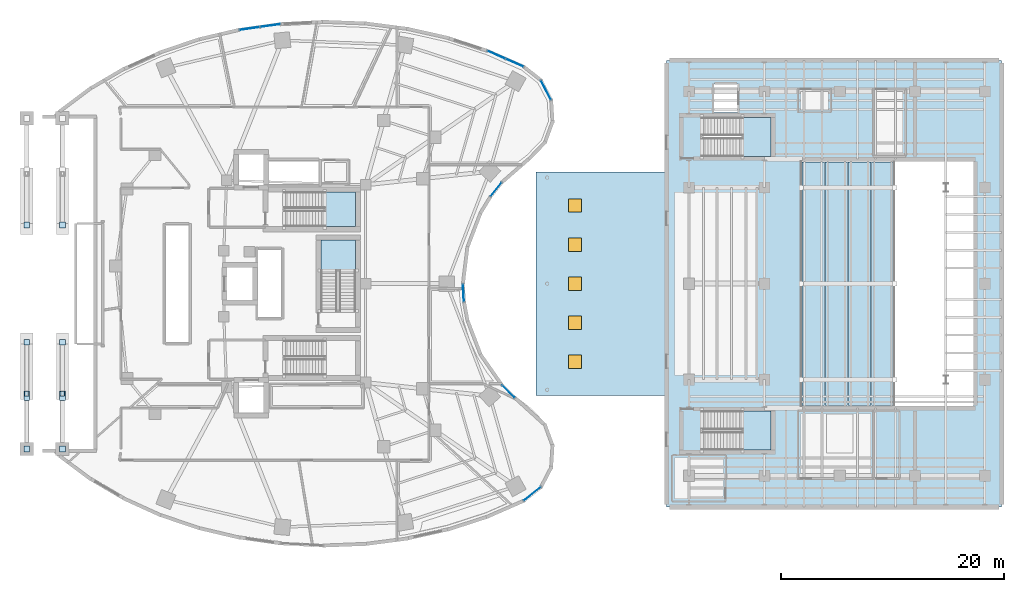
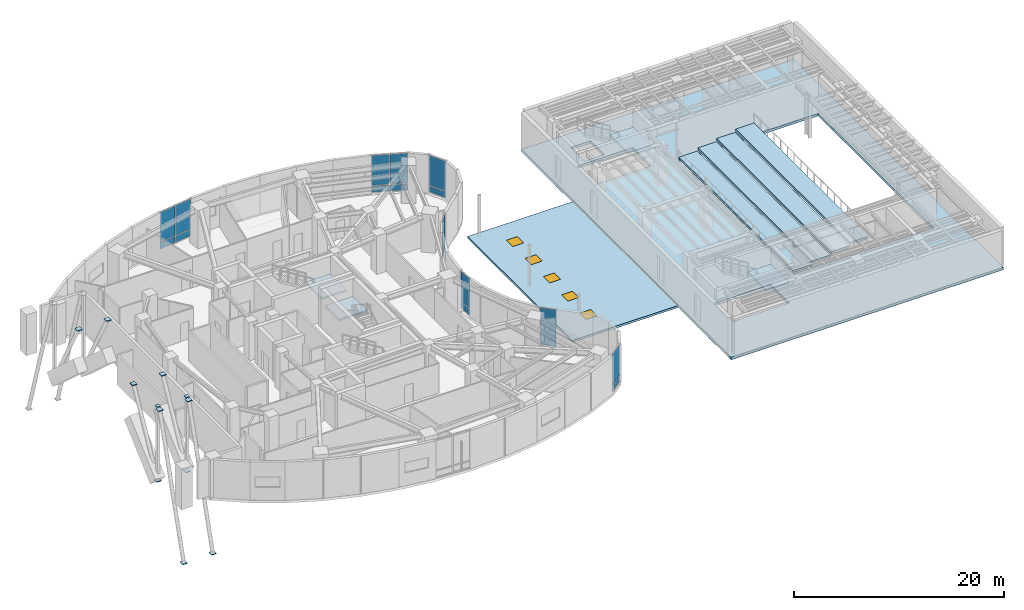
# One storey, part 11 of 24: 30 plates, 10 slabs, 5 windows, 5 openings, 11 elements without a shape of their own.
"""IFC4 building model written with IfcOpenShell, lengths in metres."""

from ifc_helpers import new_model, si_unit, direction, frame, origin, origin_2d, place, context, subcontext, project, spatial, polyline, rectangle, outline, extrude, material, layer, layer_set, type_object, element, fill, aggregate, save


model = new_model("IFC4")

# Units and contexts
model_context = context("Model", 3, precision=1e-05, world=origin(), true_north=direction((0.0, 1.0)))
body_context = subcontext(model_context, "Body", "Model", "MODEL_VIEW")
ifc_project = project(units=[si_unit("LENGTHUNIT", "METRE"), si_unit("AREAUNIT", "SQUARE_METRE"), si_unit("VOLUMEUNIT", "CUBIC_METRE"), si_unit("PLANEANGLEUNIT", "RADIAN"), si_unit("MASSUNIT", "GRAM", prefix="KILO")], contexts=[model_context])

# Site, building, storey
site_placement = place(None, origin())
site = spatial("IfcSite", under=ifc_project, at=site_placement, CompositionType="ELEMENT")
building_placement = place(site_placement, origin())
building = spatial("IfcBuilding", under=site, at=building_placement, Name="Korentha Bioscience Tower", CompositionType="ELEMENT")
storey_placement = place(building_placement, frame((0.0, 0.0, 10.199951171875)))
storey = spatial("IfcBuildingStorey", under=building, at=storey_placement, Name="L02", CompositionType="ELEMENT", Elevation=10.199951171875)

# Slab, openings, windows
ifc_material_1 = material(Name="Precast Concrete C50", Category="concrete")
ifc_layer_1 = layer(ifc_material_1, 0.239990234375, Name="Precast Concrete C50")
ifc_layer_set_1 = layer_set([ifc_layer_1], Name="Precast Concrete C50 (RF-A240)")
slab_type_1 = type_object("IfcSlabType", Name="Arcade Canopy Roof Slab 240", PredefinedType="ROOF", material=ifc_layer_set_1)
slab_1_placement = place(storey_placement, frame((0.0, 0.0, -0.239990234375)))
slab_1 = element("IfcSlab", 1, at=slab_1_placement, inside=storey, type_object=slab_type_1, Name="L02 Covered Public Arcade Canopy Roof Slab", PredefinedType="ROOF", context=body_context, shape_type="SweptSolid", body=[
    extrude(outline(polyline([(52.800048828125, 17.0), (64.419921875, 17.0), (64.419921875, 37.0), (52.800048828125, 37.0), (52.800048828125, 17.0)])), origin(), (0.0, 0.0, 1.0), 0.239990234375),
])
opening_1_placement = place(slab_1_placement, frame((56.300048828125, 20.0, -0.014892578125)))
opening_1 = element("IfcOpeningElement", 2, at=opening_1_placement, cuts=slab_1, Name="Opening RH-120", PredefinedType="OPENING", context=body_context, shape_type="SweptSolid", body=[
    extrude(rectangle(XDim=1.199951171875, YDim=1.199951171875, at=origin_2d()), origin(), (0.0, 0.0, 1.0), 0.269775390625),
])
opening_2_placement = place(slab_1_placement, frame((56.300048828125, 23.5, -0.014892578125)))
opening_2 = element("IfcOpeningElement", 3, at=opening_2_placement, cuts=slab_1, Name="Opening RH-120", PredefinedType="OPENING", context=body_context, shape_type="SweptSolid", body=[
    extrude(rectangle(XDim=1.199951171875, YDim=1.199951171875, at=origin_2d()), origin(), (0.0, 0.0, 1.0), 0.269775390625),
])
opening_3_placement = place(slab_1_placement, frame((56.300048828125, 27.0, -0.014892578125)))
opening_3 = element("IfcOpeningElement", 4, at=opening_3_placement, cuts=slab_1, Name="Opening RH-120", PredefinedType="OPENING", context=body_context, shape_type="SweptSolid", body=[
    extrude(rectangle(XDim=1.199951171875, YDim=1.199951171875, at=origin_2d()), origin(), (0.0, 0.0, 1.0), 0.269775390625),
])
opening_4_placement = place(slab_1_placement, frame((56.300048828125, 30.5, -0.014892578125)))
opening_4 = element("IfcOpeningElement", 5, at=opening_4_placement, cuts=slab_1, Name="Opening RH-120", PredefinedType="OPENING", context=body_context, shape_type="SweptSolid", body=[
    extrude(rectangle(XDim=1.199951171875, YDim=1.199951171875, at=origin_2d()), origin(), (0.0, 0.0, 1.0), 0.269775390625),
])
opening_5_placement = place(slab_1_placement, frame((56.300048828125, 34.0, -0.014892578125)))
opening_5 = element("IfcOpeningElement", 6, at=opening_5_placement, cuts=slab_1, Name="Opening RH-120", PredefinedType="OPENING", context=body_context, shape_type="SweptSolid", body=[
    extrude(rectangle(XDim=1.199951171875, YDim=1.199951171875, at=origin_2d()), origin(), (0.0, 0.0, 1.0), 0.269775390625),
])
ifc_material_2 = material(Name="Insulated Aluminium Hatch", Category="aluminium")
ifc_layer_2 = layer(ifc_material_2, 0.050048828125, Name="Insulated Aluminium Hatch")
ifc_layer_set_2 = layer_set([ifc_layer_2], Name="Insulated Aluminium Hatch (RH-120)")
window_type = type_object("IfcWindowType", Name="Insulated Aluminium Roof Maintenance Hatch 1200x1200", PartitioningType="SINGLE_PANEL", PredefinedType="SKYLIGHT", material=ifc_layer_set_2)
window_1_placement = place(opening_1_placement, frame((0.0, 0.0, 0.014892578125)))
window_1 = element("IfcWindow", 7, at=window_1_placement, inside=storey, type_object=window_type, Name="L02 Arcade Canopy Maintenance Roof Hatch 01", OverallHeight=1.199951171875, OverallWidth=1.199951171875, PartitioningType="SINGLE_PANEL", PredefinedType="SKYLIGHT", context=body_context, shape_type="SweptSolid", body=[
    extrude(rectangle(XDim=1.199951171875, YDim=1.199951171875, at=origin_2d()), origin(), (0.0, 0.0, 1.0), 0.239990234375),
])
fill(opening_1, window_1)
window_2_placement = place(opening_2_placement, frame((0.0, 0.0, 0.014892578125)))
window_2 = element("IfcWindow", 8, at=window_2_placement, inside=storey, type_object=window_type, Name="L02 Arcade Canopy Maintenance Roof Hatch 02", OverallHeight=1.199951171875, OverallWidth=1.199951171875, PartitioningType="SINGLE_PANEL", PredefinedType="SKYLIGHT", context=body_context, shape_type="SweptSolid", body=[
    extrude(rectangle(XDim=1.199951171875, YDim=1.199951171875, at=origin_2d()), origin(), (0.0, 0.0, 1.0), 0.239990234375),
])
fill(opening_2, window_2)
window_3_placement = place(opening_3_placement, frame((0.0, 0.0, 0.014892578125)))
window_3 = element("IfcWindow", 9, at=window_3_placement, inside=storey, type_object=window_type, Name="L02 Arcade Canopy Maintenance Roof Hatch 03", OverallHeight=1.199951171875, OverallWidth=1.199951171875, PartitioningType="SINGLE_PANEL", PredefinedType="SKYLIGHT", context=body_context, shape_type="SweptSolid", body=[
    extrude(rectangle(XDim=1.199951171875, YDim=1.199951171875, at=origin_2d()), origin(), (0.0, 0.0, 1.0), 0.239990234375),
])
fill(opening_3, window_3)
window_4_placement = place(opening_4_placement, frame((0.0, 0.0, 0.014892578125)))
window_4 = element("IfcWindow", 10, at=window_4_placement, inside=storey, type_object=window_type, Name="L02 Arcade Canopy Maintenance Roof Hatch 04", OverallHeight=1.199951171875, OverallWidth=1.199951171875, PartitioningType="SINGLE_PANEL", PredefinedType="SKYLIGHT", context=body_context, shape_type="SweptSolid", body=[
    extrude(rectangle(XDim=1.199951171875, YDim=1.199951171875, at=origin_2d()), origin(), (0.0, 0.0, 1.0), 0.239990234375),
])
fill(opening_4, window_4)
window_5_placement = place(opening_5_placement, frame((0.0, 0.0, 0.014892578125)))
window_5 = element("IfcWindow", 11, at=window_5_placement, inside=storey, type_object=window_type, Name="L02 Arcade Canopy Maintenance Roof Hatch 05", OverallHeight=1.199951171875, OverallWidth=1.199951171875, PartitioningType="SINGLE_PANEL", PredefinedType="SKYLIGHT", context=body_context, shape_type="SweptSolid", body=[
    extrude(rectangle(XDim=1.199951171875, YDim=1.199951171875, at=origin_2d()), origin(), (0.0, 0.0, 1.0), 0.239990234375),
])
fill(opening_5, window_5)

# Slabs
ifc_material_3 = material(Name="Concrete C50", Category="concrete")
ifc_layer_3 = layer(ifc_material_3, 0.260009765625, Name="Concrete C50")
ifc_layer_set_3 = layer_set([ifc_layer_3], Name="Concrete C50 (ST-TIER)")
slab_type_2 = type_object("IfcSlabType", Name="Auditorium Raked Seating Tier Slab 260", PredefinedType="USERDEFINED", material=ifc_layer_set_3)
slab_2_placement = place(storey_placement, frame((0.0, 0.0, 0.10009765625)))
element("IfcSlab", 12, at=slab_2_placement, inside=storey, type_object=slab_type_2, Name="L02 Auditorium Seating Tier 1", ObjectType="SEATING_TIER", PredefinedType="USERDEFINED", context=body_context, shape_type="SweptSolid", body=[
    extrude(outline(polyline([(76.60009765625, 16.10009765625), (78.6298828125, 16.10009765625), (78.6298828125, 37.89990234375), (76.60009765625, 37.89990234375), (76.60009765625, 16.10009765625)])), origin(), (0.0, 0.0, 1.0), 0.260009765625),
])
slab_3_placement = place(storey_placement, frame((0.0, 0.0, 0.4599609375)))
element("IfcSlab", 13, at=slab_3_placement, inside=storey, type_object=slab_type_2, Name="L02 Auditorium Seating Tier 2", ObjectType="SEATING_TIER", PredefinedType="USERDEFINED", context=body_context, shape_type="SweptSolid", body=[
    extrude(outline(polyline([(78.679931640625, 16.10009765625), (80.7099609375, 16.10009765625), (80.7099609375, 37.89990234375), (78.679931640625, 37.89990234375), (78.679931640625, 16.10009765625)])), origin(), (0.0, 0.0, 1.0), 0.260009765625),
])
slab_4_placement = place(storey_placement, frame((0.0, 0.0, 0.820068359375)))
element("IfcSlab", 14, at=slab_4_placement, inside=storey, type_object=slab_type_2, Name="L02 Auditorium Seating Tier 3", ObjectType="SEATING_TIER", PredefinedType="USERDEFINED", context=body_context, shape_type="SweptSolid", body=[
    extrude(outline(polyline([(80.760009765625, 16.10009765625), (82.7900390625, 16.10009765625), (82.7900390625, 37.89990234375), (80.760009765625, 37.89990234375), (80.760009765625, 16.10009765625)])), origin(), (0.0, 0.0, 1.0), 0.260009765625),
])
slab_5_placement = place(storey_placement, frame((0.0, 0.0, 1.179931640625)))
element("IfcSlab", 15, at=slab_5_placement, inside=storey, type_object=slab_type_2, Name="L02 Auditorium Seating Tier 4", ObjectType="SEATING_TIER", PredefinedType="USERDEFINED", context=body_context, shape_type="SweptSolid", body=[
    extrude(outline(polyline([(82.840087890625, 16.10009765625), (84.8701171875, 16.10009765625), (84.8701171875, 37.89990234375), (82.840087890625, 37.89990234375), (82.840087890625, 16.10009765625)])), origin(), (0.0, 0.0, 1.0), 0.260009765625),
])
ifc_layer_4 = layer(ifc_material_3, 0.300048828125, Name="Concrete C50")
ifc_layer_set_4 = layer_set([ifc_layer_4], Name="Concrete C50 (SL-TH300)")
slab_type_3 = type_object("IfcSlabType", Name="Civic Theatre Floor Slab 300", PredefinedType="FLOOR", material=ifc_layer_set_4)
slab_6_placement = place(storey_placement, frame((0.0, 0.0, -0.300048828125)))
element("IfcSlab", 16, at=slab_6_placement, inside=storey, type_object=slab_type_3, Name="L02 Civic Performing-Arts Theatre Floor Slab", PredefinedType="FLOOR", context=body_context, shape_type="SweptSolid", body=[
    extrude(outline(polyline([(64.5, 7.0), (94.5, 7.0), (94.5, 47.0), (64.5, 47.0), (64.5, 7.0)]), holes=[polyline([(67.64990234375, 12.10009765625), (73.85009765625, 12.10009765625), (73.85009765625, 15.60009765625), (67.64990234375, 15.60009765625), (67.64990234375, 12.10009765625)]), polyline([(67.64990234375, 38.39990234375), (73.85009765625, 38.39990234375), (73.85009765625, 41.89990234375), (67.64990234375, 41.89990234375), (67.64990234375, 38.39990234375)]), polyline([(68.7099609375, 42.31005859375), (70.889892578125, 42.31005859375), (70.889892578125, 44.889892578125), (68.7099609375, 44.889892578125), (68.7099609375, 42.31005859375)]), polyline([(76.550048828125, 16.0), (92.0, 16.0), (92.0, 38.0), (76.550048828125, 38.0), (76.550048828125, 16.0)])]), origin(), (0.0, 0.0, 1.0), 0.300048828125),
])

# Curtain wall, plates
ifc_material_4 = material(Name="Stone-Clad Aluminium Frame", Category="masonry")
ifc_layer_5 = layer(ifc_material_4, 0.219970703125, Name="Stone-Clad Aluminium Frame")
ifc_layer_set_5 = layer_set([ifc_layer_5], Name="Stone-Clad Aluminium Frame (CW-P1)")
curtain_wall_type = type_object("IfcCurtainWallType", Name="Podium Double-Height Stone-Mullion Curtain Wall CW-P1", PredefinedType="USERDEFINED", material=ifc_layer_set_5)
curtain_wall_1_placement = place(storey_placement, origin())
curtain_wall_1 = element("IfcCurtainWall", 17, at=curtain_wall_1_placement, inside=storey, type_object=curtain_wall_type, Name="L02 Curtain Wall 01", ObjectType="UNITISED", PredefinedType="USERDEFINED")
ifc_material_5 = material(Name="Triple-Glazed Low-E Insulated Glass", Category="glass")
ifc_layer_6 = layer(ifc_material_5, 0.0439453125, Name="Triple-Glazed Low-E Insulated Glass")
ifc_layer_set_6 = layer_set([ifc_layer_6], Name="Triple-Glazed Low-E Insulated Glass (GL-44)")
plate_type_1 = type_object("IfcPlateType", Name="Glazed Panel 44mm", PredefinedType="CURTAIN_PANEL", material=ifc_layer_set_6)
plate_1_placement = place(storey_placement, frame((50.893310546875, 46.780029296875, 0.08984375), z_axis=(0.0, 0.0, 1.0), x_axis=(-0.91593909057, 0.401317308828, 0.0)))
plate_1 = element("IfcPlate", 18, at=plate_1_placement, type_object=plate_type_1, Name="CW-L02-01 Bay 1 Glazed Panel 1", PredefinedType="CURTAIN_PANEL", context=body_context, shape_type="SweptSolid", body=[
    extrude(rectangle(XDim=1.701171875, YDim=0.0439453125, at=origin_2d()), origin(), (0.0, 0.0, 1.0), 0.715087890625),
])
plate_2_placement = place(storey_placement, frame((50.893310546875, 46.780029296875, 0.89501953125), z_axis=(0.0, 0.0, 1.0), x_axis=(-0.91593909057, 0.401317308828, 0.0)))
plate_2 = element("IfcPlate", 19, at=plate_2_placement, type_object=plate_type_1, Name="CW-L02-01 Bay 1 Glazed Panel 2", PredefinedType="CURTAIN_PANEL", context=body_context, shape_type="SweptSolid", body=[
    extrude(rectangle(XDim=1.701171875, YDim=0.0439453125, at=origin_2d()), origin(), (0.0, 0.0, 1.0), 3.465087890625),
])
plate_3_placement = place(storey_placement, frame((49.25244140625, 47.498779296875, 0.08984375), z_axis=(0.0, 0.0, 1.0), x_axis=(-0.91593909057, 0.401317308828, 0.0)))
plate_3 = element("IfcPlate", 20, at=plate_3_placement, type_object=plate_type_1, Name="CW-L02-01 Bay 2 Glazed Panel 1", PredefinedType="CURTAIN_PANEL", context=body_context, shape_type="SweptSolid", body=[
    extrude(rectangle(XDim=1.701171875, YDim=0.0439453125, at=origin_2d()), origin(), (0.0, 0.0, 1.0), 0.715087890625),
])
plate_4_placement = place(storey_placement, frame((49.25244140625, 47.498779296875, 0.89501953125), z_axis=(0.0, 0.0, 1.0), x_axis=(-0.91593909057, 0.401317308828, 0.0)))
plate_4 = element("IfcPlate", 21, at=plate_4_placement, type_object=plate_type_1, Name="CW-L02-01 Bay 2 Glazed Panel 2", PredefinedType="CURTAIN_PANEL", context=body_context, shape_type="SweptSolid", body=[
    extrude(rectangle(XDim=1.701171875, YDim=0.0439453125, at=origin_2d()), origin(), (0.0, 0.0, 1.0), 3.465087890625),
])
aggregate(curtain_wall_1, [plate_1, plate_2, plate_3, plate_4])

curtain_wall_2_placement = place(storey_placement, origin())
curtain_wall_2 = element("IfcCurtainWall", 22, at=curtain_wall_2_placement, inside=storey, type_object=curtain_wall_type, Name="L02 Curtain Wall 07", ObjectType="UNITISED", PredefinedType="USERDEFINED")
plate_5_placement = place(storey_placement, frame((29.0224609375, 50.11572265625, 0.08984375), z_axis=(0.0, 0.0, 1.0), x_axis=(-0.990167372968, -0.139887717511, 0.0)))
plate_5 = element("IfcPlate", 23, at=plate_5_placement, type_object=plate_type_1, Name="CW-L02-07 Bay 1 Glazed Panel 1", PredefinedType="CURTAIN_PANEL", context=body_context, shape_type="SweptSolid", body=[
    extrude(rectangle(XDim=1.800537109375, YDim=0.0439453125, at=origin_2d()), origin(), (0.0, 0.0, 1.0), 0.715087890625),
])
plate_6_placement = place(storey_placement, frame((29.0224609375, 50.11572265625, 0.89501953125), z_axis=(0.0, 0.0, 1.0), x_axis=(-0.990167372968, -0.139887717511, 0.0)))
plate_6 = element("IfcPlate", 24, at=plate_6_placement, type_object=plate_type_1, Name="CW-L02-07 Bay 1 Glazed Panel 2", PredefinedType="CURTAIN_PANEL", context=body_context, shape_type="SweptSolid", body=[
    extrude(rectangle(XDim=1.800537109375, YDim=0.0439453125, at=origin_2d()), origin(), (0.0, 0.0, 1.0), 3.465087890625),
])
plate_7_placement = place(storey_placement, frame((27.150634765625, 49.851318359375, 0.08984375), z_axis=(0.0, 0.0, 1.0), x_axis=(-0.990167372968, -0.139887717511, 0.0)))
plate_7 = element("IfcPlate", 25, at=plate_7_placement, type_object=plate_type_1, Name="CW-L02-07 Bay 2 Glazed Panel 1", PredefinedType="CURTAIN_PANEL", context=body_context, shape_type="SweptSolid", body=[
    extrude(rectangle(XDim=1.800537109375, YDim=0.0439453125, at=origin_2d()), origin(), (0.0, 0.0, 1.0), 0.715087890625),
])
plate_8_placement = place(storey_placement, frame((27.150634765625, 49.851318359375, 0.89501953125), z_axis=(0.0, 0.0, 1.0), x_axis=(-0.990167372968, -0.139887717511, 0.0)))
plate_8 = element("IfcPlate", 26, at=plate_8_placement, type_object=plate_type_1, Name="CW-L02-07 Bay 2 Glazed Panel 2", PredefinedType="CURTAIN_PANEL", context=body_context, shape_type="SweptSolid", body=[
    extrude(rectangle(XDim=1.800537109375, YDim=0.0439453125, at=origin_2d()), origin(), (0.0, 0.0, 1.0), 3.465087890625),
])
aggregate(curtain_wall_2, [plate_5, plate_6, plate_7, plate_8])

curtain_wall_3_placement = place(storey_placement, origin())
curtain_wall_3 = element("IfcCurtainWall", 27, at=curtain_wall_3_placement, inside=storey, type_object=curtain_wall_type, Name="L02 Curtain Wall 37", ObjectType="UNITISED", PredefinedType="USERDEFINED")
plate_9_placement = place(storey_placement, frame((52.4755859375, 8.19140625, 0.08984375), z_axis=(0.0, 0.0, 1.0), x_axis=(0.782287851332, 0.62291710336, 0.0)))
plate_9 = element("IfcPlate", 28, at=plate_9_placement, type_object=plate_type_1, Name="CW-L02-37 Bay 1 Glazed Panel 1", PredefinedType="CURTAIN_PANEL", context=body_context, shape_type="SweptSolid", body=[
    extrude(rectangle(XDim=1.927734375, YDim=0.0439453125, at=origin_2d()), origin(), (0.0, 0.0, 1.0), 0.715087890625),
])
plate_10_placement = place(storey_placement, frame((52.4755859375, 8.19140625, 0.89501953125), z_axis=(0.0, 0.0, 1.0), x_axis=(0.782287851332, 0.62291710336, 0.0)))
plate_10 = element("IfcPlate", 29, at=plate_10_placement, type_object=plate_type_1, Name="CW-L02-37 Bay 1 Glazed Panel 2", PredefinedType="CURTAIN_PANEL", context=body_context, shape_type="SweptSolid", body=[
    extrude(rectangle(XDim=1.927734375, YDim=0.0439453125, at=origin_2d()), origin(), (0.0, 0.0, 1.0), 3.465087890625),
])
aggregate(curtain_wall_3, [plate_9, plate_10])

curtain_wall_4_placement = place(storey_placement, origin())
curtain_wall_4 = element("IfcCurtainWall", 30, at=curtain_wall_4_placement, inside=storey, type_object=curtain_wall_type, Name="L02 Curtain Wall 43", ObjectType="UNITISED", PredefinedType="USERDEFINED")
plate_11_placement = place(storey_placement, frame((50.333251953125, 17.335693359375, 0.08984375), z_axis=(0.0, 0.0, 1.0), x_axis=(-0.713279246754, 0.700879958445, 0.0)))
plate_11 = element("IfcPlate", 31, at=plate_11_placement, type_object=plate_type_1, Name="CW-L02-43 Bay 1 Glazed Panel 1", PredefinedType="CURTAIN_PANEL", context=body_context, shape_type="SweptSolid", body=[
    extrude(rectangle(XDim=1.537841796875, YDim=0.0439453125, at=origin_2d()), origin(), (0.0, 0.0, 1.0), 0.715087890625),
])
plate_12_placement = place(storey_placement, frame((50.333251953125, 17.335693359375, 0.89501953125), z_axis=(0.0, 0.0, 1.0), x_axis=(-0.713279246754, 0.700879958445, 0.0)))
plate_12 = element("IfcPlate", 32, at=plate_12_placement, type_object=plate_type_1, Name="CW-L02-43 Bay 1 Glazed Panel 2", PredefinedType="CURTAIN_PANEL", context=body_context, shape_type="SweptSolid", body=[
    extrude(rectangle(XDim=1.537841796875, YDim=0.0439453125, at=origin_2d()), origin(), (0.0, 0.0, 1.0), 3.465087890625),
])
aggregate(curtain_wall_4, [plate_11, plate_12])

curtain_wall_5_placement = place(storey_placement, origin())
curtain_wall_5 = element("IfcCurtainWall", 33, at=curtain_wall_5_placement, inside=storey, type_object=curtain_wall_type, Name="L02 Curtain Wall 49", ObjectType="UNITISED", PredefinedType="USERDEFINED")
plate_13_placement = place(storey_placement, frame((46.305908203125, 26.1728515625, 0.08984375), z_axis=(0.0, 0.0, 1.0), x_axis=(-0.061008272998, 0.998137260413, 0.0)))
plate_13 = element("IfcPlate", 34, at=plate_13_placement, type_object=plate_type_1, Name="CW-L02-49 Bay 1 Glazed Panel 1", PredefinedType="CURTAIN_PANEL", context=body_context, shape_type="SweptSolid", body=[
    extrude(rectangle(XDim=1.537841796875, YDim=0.0439453125, at=origin_2d()), origin(), (0.0, 0.0, 1.0), 0.715087890625),
])
plate_14_placement = place(storey_placement, frame((46.305908203125, 26.1728515625, 0.89501953125), z_axis=(0.0, 0.0, 1.0), x_axis=(-0.061008272998, 0.998137260413, 0.0)))
plate_14 = element("IfcPlate", 35, at=plate_14_placement, type_object=plate_type_1, Name="CW-L02-49 Bay 1 Glazed Panel 2", PredefinedType="CURTAIN_PANEL", context=body_context, shape_type="SweptSolid", body=[
    extrude(rectangle(XDim=1.537841796875, YDim=0.0439453125, at=origin_2d()), origin(), (0.0, 0.0, 1.0), 3.465087890625),
])
aggregate(curtain_wall_5, [plate_13, plate_14])

curtain_wall_6_placement = place(storey_placement, origin())
curtain_wall_6 = element("IfcCurtainWall", 36, at=curtain_wall_6_placement, inside=storey, type_object=curtain_wall_type, Name="L02 Curtain Wall 55", ObjectType="UNITISED", PredefinedType="USERDEFINED")
plate_15_placement = place(storey_placement, frame((49.226318359375, 35.434814453125, 0.08984375), z_axis=(0.0, 0.0, 1.0), x_axis=(0.622520324648, 0.782603632371, 0.0)))
plate_15 = element("IfcPlate", 37, at=plate_15_placement, type_object=plate_type_1, Name="CW-L02-55 Bay 1 Glazed Panel 1", PredefinedType="CURTAIN_PANEL", context=body_context, shape_type="SweptSolid", body=[
    extrude(rectangle(XDim=1.537841796875, YDim=0.0439453125, at=origin_2d()), origin(), (0.0, 0.0, 1.0), 0.715087890625),
])
plate_16_placement = place(storey_placement, frame((49.226318359375, 35.434814453125, 0.89501953125), z_axis=(0.0, 0.0, 1.0), x_axis=(0.622520324648, 0.782603632371, 0.0)))
plate_16 = element("IfcPlate", 38, at=plate_16_placement, type_object=plate_type_1, Name="CW-L02-55 Bay 1 Glazed Panel 2", PredefinedType="CURTAIN_PANEL", context=body_context, shape_type="SweptSolid", body=[
    extrude(rectangle(XDim=1.537841796875, YDim=0.0439453125, at=origin_2d()), origin(), (0.0, 0.0, 1.0), 3.465087890625),
])
aggregate(curtain_wall_6, [plate_15, plate_16])

curtain_wall_7_placement = place(storey_placement, origin())
curtain_wall_7 = element("IfcCurtainWall", 39, at=curtain_wall_7_placement, inside=storey, type_object=curtain_wall_type, Name="L02 Curtain Wall 61", ObjectType="UNITISED", PredefinedType="USERDEFINED")
plate_17_placement = place(storey_placement, frame((53.6962890625, 44.32958984375, 0.08984375), z_axis=(0.0, 0.0, 1.0), x_axis=(-0.463008597697, 0.886353788539, 0.0)))
plate_17 = element("IfcPlate", 40, at=plate_17_placement, type_object=plate_type_1, Name="CW-L02-61 Bay 1 Glazed Panel 1", PredefinedType="CURTAIN_PANEL", context=body_context, shape_type="SweptSolid", body=[
    extrude(rectangle(XDim=1.927734375, YDim=0.0439453125, at=origin_2d()), origin(), (0.0, 0.0, 1.0), 0.715087890625),
])
plate_18_placement = place(storey_placement, frame((53.6962890625, 44.32958984375, 0.89501953125), z_axis=(0.0, 0.0, 1.0), x_axis=(-0.463008597697, 0.886353788539, 0.0)))
plate_18 = element("IfcPlate", 41, at=plate_18_placement, type_object=plate_type_1, Name="CW-L02-61 Bay 1 Glazed Panel 2", PredefinedType="CURTAIN_PANEL", context=body_context, shape_type="SweptSolid", body=[
    extrude(rectangle(XDim=1.927734375, YDim=0.0439453125, at=origin_2d()), origin(), (0.0, 0.0, 1.0), 3.465087890625),
])
aggregate(curtain_wall_7, [plate_17, plate_18])

# Plates
ifc_material_6 = material(Name="Steel S355", Category="steel")
ifc_layer_7 = layer(ifc_material_6, 0.080078125, Name="Steel S355")
ifc_layer_set_7 = layer_set([ifc_layer_7], Name="Steel S355 (CP-02)")
plate_type_2 = type_object("IfcPlateType", Name="Hollow Section End Cap Plate 400x400x80", PredefinedType="USERDEFINED", material=ifc_layer_set_7)
for number, where, z_axis, x_axis, name in (
    (42, (7.199951171875, 17.14990234375, 8.2099609375), (0.0, 0.0, 1.0), (1.0, 0.0, 0.0), "Arch Vertical 1-2 End Cap 2"),
    (43, (10.39990234375, 17.14990234375, 8.2099609375), (0.0, 0.0, 1.0), (1.0, 0.0, 0.0), "Arch Vertical 2-2 End Cap 2"),
):
    element("IfcPlate", number, at=place(storey_placement, frame(where, z_axis=z_axis, x_axis=x_axis)), inside=storey, type_object=plate_type_2, Name=name, ObjectType="CAP_PLATE", PredefinedType="USERDEFINED", context=body_context, shape_type="SweptSolid", body=[
        extrude(rectangle(XDim=0.39990234375, YDim=0.39990234375, at=origin_2d()), origin(), (0.0, 0.0, 1.0), 0.080078125),
    ])
ifc_layer_8 = layer(ifc_material_6, 0.080078125, Name="Steel S355")
ifc_layer_set_8 = layer_set([ifc_layer_8], Name="Steel S355 (CP-01)")
plate_type_3 = type_object("IfcPlateType", Name="Hollow Section End Cap Plate 520x520x80", PredefinedType="USERDEFINED", material=ifc_layer_set_8)
for number, where, z_axis, x_axis, name in (
    (44, (7.199951171875, 12.199951171875, -7.0400390625), (0.0, 0.0, 1.0), (0.0, 1.0, 0.0), "Arch Strut 1-1 End Cap 1"),
    (45, (7.199951171875, 16.800048828125, 8.010009765625), (0.0, 0.0, 1.0), (0.0, 1.0, 0.0), "Arch Strut 1-1 End Cap 2"),
    (46, (7.199951171875, 17.14990234375, -0.43994140625), (0.0, 0.0, 1.0), (0.0, 1.0, 0.0), "Arch Strut 1-2 End Cap 1"),
    (47, (7.199951171875, 21.75, 8.010009765625), (0.0, 0.0, 1.0), (0.0, 1.0, 0.0), "Arch Strut 1-2 End Cap 2"),
    (48, (7.199951171875, 32.25, 8.010009765625), (0.0, 0.0, 1.0), (0.0, 1.0, 0.0), "Arch Strut 1-5 End Cap 2"),
    (49, (10.39990234375, 12.199951171875, -7.0400390625), (0.0, 0.0, 1.0), (0.0, 1.0, 0.0), "Arch Strut 2-1 End Cap 1"),
    (50, (10.39990234375, 16.800048828125, 8.010009765625), (0.0, 0.0, 1.0), (0.0, 1.0, 0.0), "Arch Strut 2-1 End Cap 2"),
    (51, (10.39990234375, 17.14990234375, -0.43994140625), (0.0, 0.0, 1.0), (0.0, 1.0, 0.0), "Arch Strut 2-2 End Cap 1"),
    (52, (10.39990234375, 21.75, 8.010009765625), (0.0, 0.0, 1.0), (0.0, 1.0, 0.0), "Arch Strut 2-2 End Cap 2"),
    (53, (10.39990234375, 32.25, 8.010009765625), (0.0, 0.0, 1.0), (0.0, 1.0, 0.0), "Arch Strut 2-5 End Cap 2"),
):
    element("IfcPlate", number, at=place(storey_placement, frame(where, z_axis=z_axis, x_axis=x_axis)), inside=storey, type_object=plate_type_3, Name=name, ObjectType="CAP_PLATE", PredefinedType="USERDEFINED", context=body_context, shape_type="SweptSolid", body=[
        extrude(rectangle(XDim=0.52001953125, YDim=0.52001953125, at=origin_2d()), origin(), (0.0, 0.0, 1.0), 0.080078125),
    ])

# Stair, slab
stair_type_1 = type_object("IfcStairType", Name="Core Exit Dog-Leg Stair 1450", PredefinedType="HALF_TURN_STAIR", material=ifc_material_1)
stair_1_placement = place(storey_placement, origin())
stair_1 = element("IfcStair", 54, at=stair_1_placement, inside=storey, type_object=stair_type_1, Name="L02 Tower North Pressurized Exit Stair ST-1", PredefinedType="HALF_TURN_STAIR")
ifc_layer_9 = layer(ifc_material_3, 0.199951171875, Name="Concrete C50")
ifc_layer_set_9 = layer_set([ifc_layer_9], Name="Concrete C50 (SL-LND)")
slab_type_4 = type_object("IfcSlabType", Name="Landing Slab 200", PredefinedType="LANDING", material=ifc_layer_set_9)
slab_7_placement = place(storey_placement, frame((0.0, 0.0, 2.199951171875)))
slab_7 = element("IfcSlab", 55, at=slab_7_placement, type_object=slab_type_4, Name="ST-1 landing 1", PredefinedType="LANDING", context=body_context, shape_type="SweptSolid", body=[
    extrude(outline(polyline([(33.889892578125, 32.10009765625), (36.64990234375, 32.10009765625), (36.64990234375, 35.199951171875), (33.889892578125, 35.199951171875), (33.889892578125, 32.10009765625)])), origin(), (0.0, 0.0, 1.0), 0.2001953125),
])
aggregate(stair_1, [slab_7])

stair_2_placement = place(storey_placement, origin())
stair_2 = element("IfcStair", 56, at=stair_2_placement, inside=storey, type_object=stair_type_1, Name="L02 Tower Central Pressurized Exit Stair ST-3", PredefinedType="HALF_TURN_STAIR")
slab_8_placement = place(storey_placement, frame((0.0, 0.0, 2.199951171875)))
slab_8 = element("IfcSlab", 57, at=slab_8_placement, type_object=slab_type_4, Name="ST-3 landing 1", PredefinedType="LANDING", context=body_context, shape_type="SweptSolid", body=[
    extrude(outline(polyline([(36.64990234375, 28.18994140625), (36.64990234375, 30.89990234375), (33.550048828125, 30.89990234375), (33.550048828125, 28.18994140625), (36.64990234375, 28.18994140625)])), origin(), (0.0, 0.0, 1.0), 0.2001953125),
])
aggregate(stair_2, [slab_8])

stair_type_2 = type_object("IfcStairType", Name="Theatre Public Dog-Leg Stair 1650", PredefinedType="HALF_TURN_STAIR", material=ifc_material_1)
stair_3_placement = place(storey_placement, origin())
stair_3 = element("IfcStair", 58, at=stair_3_placement, inside=storey, type_object=stair_type_2, Name="L02 Civic Theatre South Exit Stair ST-T1", PredefinedType="HALF_TURN_STAIR")
slab_9_placement = place(storey_placement, frame((0.0, 0.0, 2.199951171875)))
slab_9 = element("IfcSlab", 59, at=slab_9_placement, type_object=slab_type_4, Name="ST-T1 landing 1", PredefinedType="LANDING", context=body_context, shape_type="SweptSolid", body=[
    extrude(outline(polyline([(71.2900390625, 12.10009765625), (73.85009765625, 12.10009765625), (73.85009765625, 15.60009765625), (71.2900390625, 15.60009765625), (71.2900390625, 12.10009765625)])), origin(), (0.0, 0.0, 1.0), 0.2001953125),
])
aggregate(stair_3, [slab_9])

stair_4_placement = place(storey_placement, origin())
stair_4 = element("IfcStair", 60, at=stair_4_placement, inside=storey, type_object=stair_type_2, Name="L02 Civic Theatre North Exit Stair ST-T2", PredefinedType="HALF_TURN_STAIR")
slab_10_placement = place(storey_placement, frame((0.0, 0.0, 2.199951171875)))
slab_10 = element("IfcSlab", 61, at=slab_10_placement, type_object=slab_type_4, Name="ST-T2 landing 1", PredefinedType="LANDING", context=body_context, shape_type="SweptSolid", body=[
    extrude(outline(polyline([(71.2900390625, 38.39990234375), (73.85009765625, 38.39990234375), (73.85009765625, 41.89990234375), (71.2900390625, 41.89990234375), (71.2900390625, 38.39990234375)])), origin(), (0.0, 0.0, 1.0), 0.2001953125),
])
aggregate(stair_4, [slab_10])

save(model, "model.ifc")
